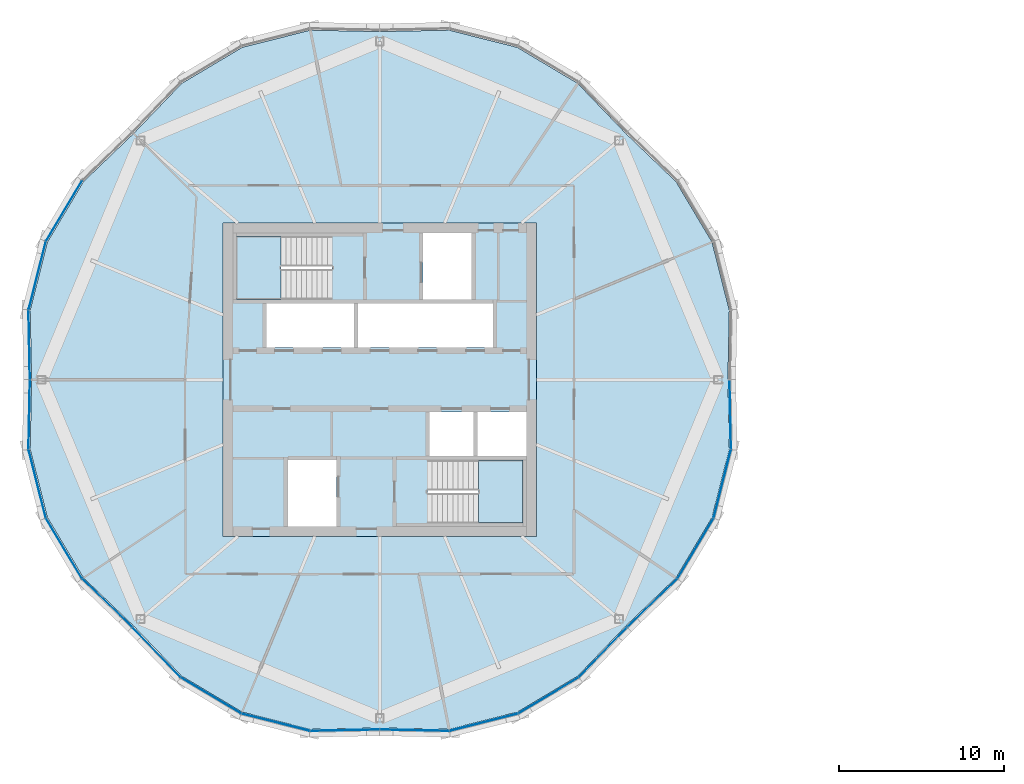
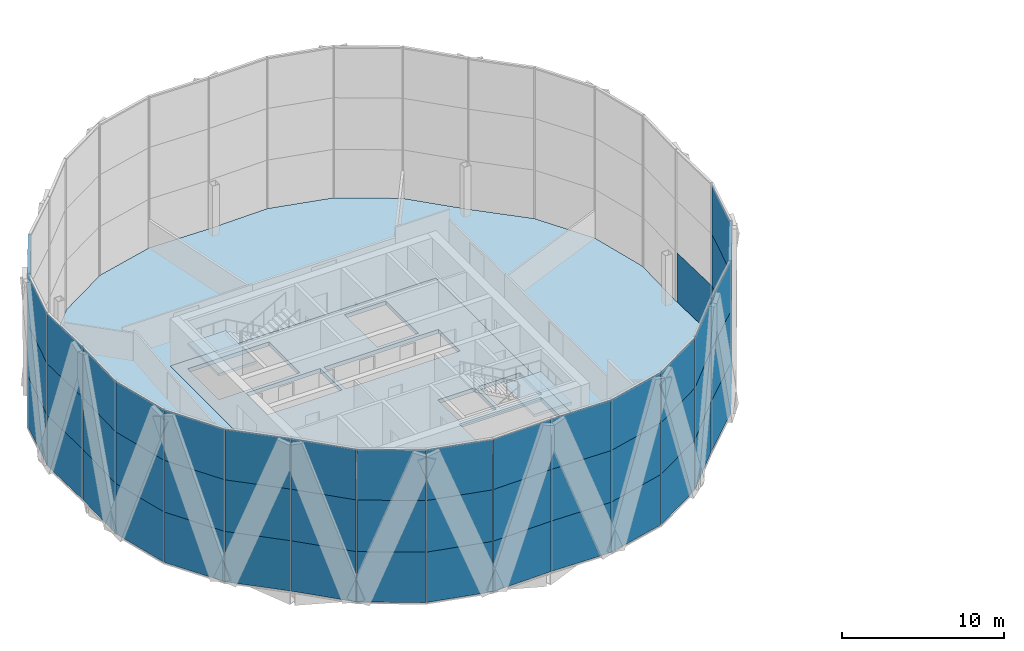
# One storey, part 15 of 25: 55 plates, 4 slabs, 7 elements without a shape of their own.
"""IFC4 building model written with IfcOpenShell, lengths in metres."""

from ifc_helpers import new_model, si_unit, direction, frame, origin, origin_2d, place, context, subcontext, project, spatial, polyline, rectangle, outline, extrude, material, layer, layer_set, type_object, element, aggregate, save


model = new_model("IFC4")

# Units and contexts
model_context = context("Model", 3, precision=1e-05, world=origin(), true_north=direction((0.0, 1.0)))
body_context = subcontext(model_context, "Body", "Model", "MODEL_VIEW")
ifc_project = project(units=[si_unit("LENGTHUNIT", "METRE"), si_unit("AREAUNIT", "SQUARE_METRE"), si_unit("VOLUMEUNIT", "CUBIC_METRE"), si_unit("PLANEANGLEUNIT", "RADIAN"), si_unit("MASSUNIT", "GRAM", prefix="KILO")], contexts=[model_context])

# Site, building, storey
site_placement = place(None, origin())
site = spatial("IfcSite", under=ifc_project, at=site_placement, CompositionType="ELEMENT")
building_placement = place(site_placement, origin())
building = spatial("IfcBuilding", under=site, at=building_placement, Name="Ogive Gate Towers", CompositionType="ELEMENT")
storey_placement = place(building_placement, frame((0.0, 0.0, 196.800048828125)))
storey = spatial("IfcBuildingStorey", under=building, at=storey_placement, Name="L47", CompositionType="ELEMENT", Elevation=196.800048828125)

# Slabs
ifc_material_1 = material(Name="Concrete C40/50", Category="concrete")
ifc_layer_1 = layer(ifc_material_1, 0.300048828125)
ifc_layer_set_1 = layer_set([ifc_layer_1], Name="Core slab C40/50 300 mm")
slab_type_1 = type_object("IfcSlabType", Name="Core slab C40/50 300 mm", PredefinedType="FLOOR", material=ifc_layer_set_1)
slab_1_placement = place(storey_placement, frame((0.0, 0.0, -0.300048828125)))
element("IfcSlab", 1, at=slab_1_placement, inside=storey, type_object=slab_type_1, Name="T1 L47 core slab", PredefinedType="FLOOR", context=body_context, shape_type="SweptSolid", body=[
    extrude(outline(polyline([(-45.5, -9.5), (-45.5, 9.5), (-26.5, 9.5), (-26.5, -9.5), (-45.5, -9.5)]), holes=[polyline([(-42.875, 1.949951171875), (-37.574951171875, 1.949951171875), (-37.574951171875, 4.625), (-42.875, 4.625), (-42.875, 1.949951171875)]), polyline([(-37.324951171875, 4.625), (-37.324951171875, 1.949951171875), (-29.125, 1.949951171875), (-29.125, 4.625), (-37.324951171875, 4.625)]), polyline([(-30.324951171875, -1.949951171875), (-32.97509765625, -1.949951171875), (-32.97509765625, -4.625), (-30.324951171875, -4.625), (-30.324951171875, -1.949951171875)]), polyline([(-27.10009765625, -4.625), (-27.10009765625, -1.949951171875), (-30.074951171875, -1.949951171875), (-30.074951171875, -4.625), (-27.10009765625, -4.625)]), polyline([(-33.375, 4.875), (-30.425048828125, 4.875), (-30.425048828125, 8.89990234375), (-33.375, 8.89990234375), (-33.375, 4.875)]), polyline([(-41.574951171875, -4.875), (-41.574951171875, -8.89990234375), (-38.625, -8.89990234375), (-38.625, -4.875), (-41.574951171875, -4.875)]), polyline([(-44.699951171875, 4.875), (-38.885009765625, 4.875), (-38.885009765625, 8.699951171875), (-44.699951171875, 8.699951171875), (-44.699951171875, 4.875)]), polyline([(-27.300048828125, -8.699951171875), (-27.300048828125, -4.875), (-33.114990234375, -4.875), (-33.114990234375, -8.699951171875), (-27.300048828125, -8.699951171875)])]), origin(), (0.0, 0.0, 1.0), 0.300048828125),
])
ifc_material_2 = material(Name="Concrete C35/45", Category="concrete")
ifc_layer_2 = layer(ifc_material_2, 0.300048828125)
ifc_layer_set_2 = layer_set([ifc_layer_2], Name="Floor slab 300")
slab_type_2 = type_object("IfcSlabType", Name="Floor slab 300", PredefinedType="FLOOR", material=ifc_layer_set_2)
slab_2_placement = place(storey_placement, frame((0.0, 0.0, -0.300048828125)))
element("IfcSlab", 2, at=slab_2_placement, inside=storey, type_object=slab_type_2, Name="T1/L47/SSL001", PredefinedType="FLOOR", context=body_context, shape_type="SweptSolid", body=[
    extrude(outline(polyline([(-14.79541015625, -4.2177734375), (-14.8798828125, 0.0), (-14.79541015625, 4.2177734375), (-15.841064453125, 8.35009765625), (-18.023681640625, 12.011474609375), (-21.06591796875, 14.93408203125), (-23.988525390625, 17.976318359375), (-27.64990234375, 20.158935546875), (-31.7822265625, 21.20458984375), (-36.0, 21.1201171875), (-40.2177734375, 21.20458984375), (-44.35009765625, 20.158935546875), (-48.011474609375, 17.976318359375), (-50.93408203125, 14.93408203125), (-53.976318359375, 12.011474609375), (-56.158935546875, 8.35009765625), (-57.20458984375, 4.2177734375), (-57.1201171875, 0.0), (-57.20458984375, -4.2177734375), (-56.158935546875, -8.35009765625), (-53.976318359375, -12.011474609375), (-50.93408203125, -14.93408203125), (-48.011474609375, -17.976318359375), (-44.35009765625, -20.158935546875), (-40.2177734375, -21.20458984375), (-36.0, -21.1201171875), (-31.7822265625, -21.20458984375), (-27.64990234375, -20.158935546875), (-23.988525390625, -17.976318359375), (-21.06591796875, -14.93408203125), (-18.023681640625, -12.011474609375), (-15.841064453125, -8.35009765625), (-14.79541015625, -4.2177734375)]), holes=[polyline([(-26.5, -9.5), (-45.5, -9.5), (-45.5, 9.5), (-26.5, 9.5), (-26.5, -9.5)])]), origin(), (0.0, 0.0, 1.0), 0.300048828125),
])

# Stair, slab
stair_type = type_object("IfcStairType", Name="Escape stair 1840 wide", PredefinedType="HALF_TURN_STAIR", material=ifc_material_1)
stair_1_placement = place(storey_placement, origin())
stair_1 = element("IfcStair", 3, at=stair_1_placement, inside=storey, type_object=stair_type, Name="L47 Escape stair 1", PredefinedType="HALF_TURN_STAIR")
ifc_layer_3 = layer(ifc_material_1, 0.199951171875)
ifc_layer_set_3 = layer_set([ifc_layer_3], Name="Stair landing 200 mm")
slab_type_3 = type_object("IfcSlabType", Name="Stair landing 200 mm", PredefinedType="LANDING", material=ifc_layer_set_3)
slab_3_placement = place(storey_placement, frame((0.0, 0.0, 1.75)))
slab_3 = element("IfcSlab", 4, at=slab_3_placement, type_object=slab_type_3, Name="ST1 landing 1", PredefinedType="LANDING", context=body_context, shape_type="SweptSolid", body=[
    extrude(outline(polyline([(-42.00146484375, 8.699951171875), (-44.699951171875, 8.699951171875), (-44.699951171875, 4.875), (-42.00146484375, 4.875), (-42.00146484375, 8.699951171875)])), origin(), (0.0, 0.0, 1.0), 0.199951171875),
])
aggregate(stair_1, [slab_3])

stair_2_placement = place(storey_placement, origin())
stair_2 = element("IfcStair", 5, at=stair_2_placement, inside=storey, type_object=stair_type, Name="L47 Escape stair 2", PredefinedType="HALF_TURN_STAIR")
slab_4_placement = place(storey_placement, frame((0.0, 0.0, 1.75)))
slab_4 = element("IfcSlab", 6, at=slab_4_placement, type_object=slab_type_3, Name="ST2 landing 1", PredefinedType="LANDING", context=body_context, shape_type="SweptSolid", body=[
    extrude(outline(polyline([(-29.99853515625, -8.699951171875), (-27.300048828125, -8.699951171875), (-27.300048828125, -4.875), (-29.99853515625, -4.875), (-29.99853515625, -8.699951171875)])), origin(), (0.0, 0.0, 1.0), 0.199951171875),
])
aggregate(stair_2, [slab_4])

# Curtain wall, plates
ifc_material_3 = material(Name="Pale metal aluminium", Category="aluminium")
curtain_wall_type = type_object("IfcCurtainWallType", Name="Tower unitised wall, high zone", PredefinedType="NOTDEFINED", material=ifc_material_3)
curtain_wall_1_placement = place(storey_placement, origin())
curtain_wall_1 = element("IfcCurtainWall", 7, at=curtain_wall_1_placement, inside=storey, type_object=curtain_wall_type, Name="CW2 T1 ECW04", PredefinedType="NOTDEFINED")
ifc_material_4 = material(Name="Clear glass", Category="glass")
ifc_layer_4 = layer(ifc_material_4, 0.028076171875)
ifc_layer_set_4 = layer_set([ifc_layer_4], Name="Tower unitised wall, high zone glass panel")
plate_type = type_object("IfcPlateType", Name="Tower unitised wall, high zone glass panel", PredefinedType="CURTAIN_PANEL", material=ifc_layer_set_4)
plate_1_placement = place(storey_placement, frame((-55.15380859375, 10.231689453125, -0.2041015625), z_axis=(0.0, 0.0, 1.0), x_axis=(-0.512057856471, -0.858950959966, 0.0)))
plate_1 = element("IfcPlate", 8, at=plate_1_placement, type_object=plate_type, Name="CW2 glass panel", PredefinedType="CURTAIN_PANEL", context=body_context, shape_type="SweptSolid", body=[
    extrude(rectangle(XDim=4.228515625, YDim=0.028076171875, at=origin_2d()), origin(), (0.0, 0.0, 1.0), 3.803955078125),
])
plate_2_placement = place(storey_placement, frame((-55.15380859375, 10.231689453125, 3.60009765625), z_axis=(0.0, 0.0, 1.0), x_axis=(-0.512057856471, -0.858950959966, 0.0)))
plate_2 = element("IfcPlate", 9, at=plate_2_placement, type_object=plate_type, Name="CW2 glass panel", PredefinedType="CURTAIN_PANEL", context=body_context, shape_type="SweptSolid", body=[
    extrude(rectangle(XDim=4.228515625, YDim=0.028076171875, at=origin_2d()), origin(), (0.0, 0.0, 1.0), 3.89990234375),
])
plate_3_placement = place(storey_placement, frame((-55.15380859375, 10.231689453125, 7.5), z_axis=(0.0, 0.0, 1.0), x_axis=(-0.512057856471, -0.858950959966, 0.0)))
plate_3 = element("IfcPlate", 10, at=plate_3_placement, type_object=plate_type, Name="CW2 glass panel", PredefinedType="CURTAIN_PANEL", context=body_context, shape_type="SweptSolid", body=[
    extrude(rectangle(XDim=4.228515625, YDim=0.028076171875, at=origin_2d()), origin(), (0.0, 0.0, 1.0), 3.803955078125),
])
plate_4_placement = place(storey_placement, frame((-56.778564453125, 6.30908203125, -0.2041015625), z_axis=(0.0, 0.0, 1.0), x_axis=(-0.245290465828, -0.969449631169, 0.0)))
plate_4 = element("IfcPlate", 11, at=plate_4_placement, type_object=plate_type, Name="CW2 glass panel", PredefinedType="CURTAIN_PANEL", context=body_context, shape_type="SweptSolid", body=[
    extrude(rectangle(XDim=4.228515625, YDim=0.028076171875, at=origin_2d()), origin(), (0.0, 0.0, 1.0), 3.803955078125),
])
plate_5_placement = place(storey_placement, frame((-56.778564453125, 6.30908203125, 3.60009765625), z_axis=(0.0, 0.0, 1.0), x_axis=(-0.245290465828, -0.969449631169, 0.0)))
plate_5 = element("IfcPlate", 12, at=plate_5_placement, type_object=plate_type, Name="CW2 glass panel", PredefinedType="CURTAIN_PANEL", context=body_context, shape_type="SweptSolid", body=[
    extrude(rectangle(XDim=4.228515625, YDim=0.028076171875, at=origin_2d()), origin(), (0.0, 0.0, 1.0), 3.89990234375),
])
plate_6_placement = place(storey_placement, frame((-56.778564453125, 6.30908203125, 7.5), z_axis=(0.0, 0.0, 1.0), x_axis=(-0.245290465828, -0.969449631169, 0.0)))
plate_6 = element("IfcPlate", 13, at=plate_6_placement, type_object=plate_type, Name="CW2 glass panel", PredefinedType="CURTAIN_PANEL", context=body_context, shape_type="SweptSolid", body=[
    extrude(rectangle(XDim=4.228515625, YDim=0.028076171875, at=origin_2d()), origin(), (0.0, 0.0, 1.0), 3.803955078125),
])
plate_7_placement = place(storey_placement, frame((-57.262451171875, 2.11279296875, -0.2041015625), z_axis=(0.0, 0.0, 1.0), x_axis=(0.020052489003, -0.999798928628, 0.0)))
plate_7 = element("IfcPlate", 14, at=plate_7_placement, type_object=plate_type, Name="CW2 glass panel", PredefinedType="CURTAIN_PANEL", context=body_context, shape_type="SweptSolid", body=[
    extrude(rectangle(XDim=4.17236328125, YDim=0.028076171875, at=origin_2d()), origin(), (0.0, 0.0, 1.0), 3.803955078125),
])
plate_8_placement = place(storey_placement, frame((-57.262451171875, 2.11279296875, 3.60009765625), z_axis=(0.0, 0.0, 1.0), x_axis=(0.020052489003, -0.999798928628, 0.0)))
plate_8 = element("IfcPlate", 15, at=plate_8_placement, type_object=plate_type, Name="CW2 glass panel", PredefinedType="CURTAIN_PANEL", context=body_context, shape_type="SweptSolid", body=[
    extrude(rectangle(XDim=4.17236328125, YDim=0.028076171875, at=origin_2d()), origin(), (0.0, 0.0, 1.0), 3.89990234375),
])
plate_9_placement = place(storey_placement, frame((-57.262451171875, 2.11279296875, 7.5), z_axis=(0.0, 0.0, 1.0), x_axis=(0.020052489003, -0.999798928628, 0.0)))
plate_9 = element("IfcPlate", 16, at=plate_9_placement, type_object=plate_type, Name="CW2 glass panel", PredefinedType="CURTAIN_PANEL", context=body_context, shape_type="SweptSolid", body=[
    extrude(rectangle(XDim=4.17236328125, YDim=0.028076171875, at=origin_2d()), origin(), (0.0, 0.0, 1.0), 3.803955078125),
])
aggregate(curtain_wall_1, [plate_1, plate_2, plate_3, plate_4, plate_5, plate_6, plate_7, plate_8, plate_9])

curtain_wall_2_placement = place(storey_placement, origin())
curtain_wall_2 = element("IfcCurtainWall", 17, at=curtain_wall_2_placement, inside=storey, type_object=curtain_wall_type, Name="CW2 T1 ECW05", PredefinedType="NOTDEFINED")
plate_10_placement = place(storey_placement, frame((-57.262451171875, -2.11279296875, -0.2041015625), z_axis=(0.0, 0.0, 1.0), x_axis=(-0.020052489003, -0.999798928628, 0.0)))
plate_10 = element("IfcPlate", 18, at=plate_10_placement, type_object=plate_type, Name="CW2 glass panel", PredefinedType="CURTAIN_PANEL", context=body_context, shape_type="SweptSolid", body=[
    extrude(rectangle(XDim=4.17236328125, YDim=0.028076171875, at=origin_2d()), origin(), (0.0, 0.0, 1.0), 3.803955078125),
])
plate_11_placement = place(storey_placement, frame((-57.262451171875, -2.11279296875, 3.60009765625), z_axis=(0.0, 0.0, 1.0), x_axis=(-0.020052489003, -0.999798928628, 0.0)))
plate_11 = element("IfcPlate", 19, at=plate_11_placement, type_object=plate_type, Name="CW2 glass panel", PredefinedType="CURTAIN_PANEL", context=body_context, shape_type="SweptSolid", body=[
    extrude(rectangle(XDim=4.17236328125, YDim=0.028076171875, at=origin_2d()), origin(), (0.0, 0.0, 1.0), 3.89990234375),
])
plate_12_placement = place(storey_placement, frame((-57.262451171875, -2.11279296875, 7.5), z_axis=(0.0, 0.0, 1.0), x_axis=(-0.020052489003, -0.999798928628, 0.0)))
plate_12 = element("IfcPlate", 20, at=plate_12_placement, type_object=plate_type, Name="CW2 glass panel", PredefinedType="CURTAIN_PANEL", context=body_context, shape_type="SweptSolid", body=[
    extrude(rectangle(XDim=4.17236328125, YDim=0.028076171875, at=origin_2d()), origin(), (0.0, 0.0, 1.0), 3.803955078125),
])
plate_13_placement = place(storey_placement, frame((-56.778564453125, -6.30908203125, -0.2041015625), z_axis=(0.0, 0.0, 1.0), x_axis=(0.245290465828, -0.969449631169, 0.0)))
plate_13 = element("IfcPlate", 21, at=plate_13_placement, type_object=plate_type, Name="CW2 glass panel", PredefinedType="CURTAIN_PANEL", context=body_context, shape_type="SweptSolid", body=[
    extrude(rectangle(XDim=4.228515625, YDim=0.028076171875, at=origin_2d()), origin(), (0.0, 0.0, 1.0), 3.803955078125),
])
plate_14_placement = place(storey_placement, frame((-56.778564453125, -6.30908203125, 3.60009765625), z_axis=(0.0, 0.0, 1.0), x_axis=(0.245290465828, -0.969449631169, 0.0)))
plate_14 = element("IfcPlate", 22, at=plate_14_placement, type_object=plate_type, Name="CW2 glass panel", PredefinedType="CURTAIN_PANEL", context=body_context, shape_type="SweptSolid", body=[
    extrude(rectangle(XDim=4.228515625, YDim=0.028076171875, at=origin_2d()), origin(), (0.0, 0.0, 1.0), 3.89990234375),
])
plate_15_placement = place(storey_placement, frame((-56.778564453125, -6.30908203125, 7.5), z_axis=(0.0, 0.0, 1.0), x_axis=(0.245290465828, -0.969449631169, 0.0)))
plate_15 = element("IfcPlate", 23, at=plate_15_placement, type_object=plate_type, Name="CW2 glass panel", PredefinedType="CURTAIN_PANEL", context=body_context, shape_type="SweptSolid", body=[
    extrude(rectangle(XDim=4.228515625, YDim=0.028076171875, at=origin_2d()), origin(), (0.0, 0.0, 1.0), 3.803955078125),
])
plate_16_placement = place(storey_placement, frame((-55.15380859375, -10.231689453125, -0.2041015625), z_axis=(0.0, 0.0, 1.0), x_axis=(0.512057856471, -0.858950959966, 0.0)))
plate_16 = element("IfcPlate", 24, at=plate_16_placement, type_object=plate_type, Name="CW2 glass panel", PredefinedType="CURTAIN_PANEL", context=body_context, shape_type="SweptSolid", body=[
    extrude(rectangle(XDim=4.228515625, YDim=0.028076171875, at=origin_2d()), origin(), (0.0, 0.0, 1.0), 3.803955078125),
])
plate_17_placement = place(storey_placement, frame((-55.15380859375, -10.231689453125, 3.60009765625), z_axis=(0.0, 0.0, 1.0), x_axis=(0.512057856471, -0.858950959966, 0.0)))
plate_17 = element("IfcPlate", 25, at=plate_17_placement, type_object=plate_type, Name="CW2 glass panel", PredefinedType="CURTAIN_PANEL", context=body_context, shape_type="SweptSolid", body=[
    extrude(rectangle(XDim=4.228515625, YDim=0.028076171875, at=origin_2d()), origin(), (0.0, 0.0, 1.0), 3.89990234375),
])
plate_18_placement = place(storey_placement, frame((-55.15380859375, -10.231689453125, 7.5), z_axis=(0.0, 0.0, 1.0), x_axis=(0.512057856471, -0.858950959966, 0.0)))
plate_18 = element("IfcPlate", 26, at=plate_18_placement, type_object=plate_type, Name="CW2 glass panel", PredefinedType="CURTAIN_PANEL", context=body_context, shape_type="SweptSolid", body=[
    extrude(rectangle(XDim=4.228515625, YDim=0.028076171875, at=origin_2d()), origin(), (0.0, 0.0, 1.0), 3.803955078125),
])
plate_19_placement = place(storey_placement, frame((-52.52880859375, -13.540771484375, -0.2041015625), z_axis=(0.0, 0.0, 1.0), x_axis=(0.72114385321, -0.692785351302, 0.0)))
plate_19 = element("IfcPlate", 27, at=plate_19_placement, type_object=plate_type, Name="CW2 glass panel", PredefinedType="CURTAIN_PANEL", context=body_context, shape_type="SweptSolid", body=[
    extrude(rectangle(XDim=4.17236328125, YDim=0.028076171875, at=origin_2d()), origin(), (0.0, 0.0, 1.0), 3.803955078125),
])
plate_20_placement = place(storey_placement, frame((-52.52880859375, -13.540771484375, 3.60009765625), z_axis=(0.0, 0.0, 1.0), x_axis=(0.72114385321, -0.692785351302, 0.0)))
plate_20 = element("IfcPlate", 28, at=plate_20_placement, type_object=plate_type, Name="CW2 glass panel", PredefinedType="CURTAIN_PANEL", context=body_context, shape_type="SweptSolid", body=[
    extrude(rectangle(XDim=4.17236328125, YDim=0.028076171875, at=origin_2d()), origin(), (0.0, 0.0, 1.0), 3.89990234375),
])
plate_21_placement = place(storey_placement, frame((-52.52880859375, -13.540771484375, 7.5), z_axis=(0.0, 0.0, 1.0), x_axis=(0.72114385321, -0.692785351302, 0.0)))
plate_21 = element("IfcPlate", 29, at=plate_21_placement, type_object=plate_type, Name="CW2 glass panel", PredefinedType="CURTAIN_PANEL", context=body_context, shape_type="SweptSolid", body=[
    extrude(rectangle(XDim=4.17236328125, YDim=0.028076171875, at=origin_2d()), origin(), (0.0, 0.0, 1.0), 3.803955078125),
])
aggregate(curtain_wall_2, [plate_10, plate_11, plate_12, plate_13, plate_14, plate_15, plate_16, plate_17, plate_18, plate_19, plate_20, plate_21])

curtain_wall_3_placement = place(storey_placement, origin())
curtain_wall_3 = element("IfcCurtainWall", 30, at=curtain_wall_3_placement, inside=storey, type_object=curtain_wall_type, Name="CW2 T1 ECW06", PredefinedType="NOTDEFINED")
plate_22_placement = place(storey_placement, frame((-49.540771484375, -16.52880859375, -0.2041015625), z_axis=(0.0, 0.0, 1.0), x_axis=(0.692785351302, -0.72114385321, 0.0)))
plate_22 = element("IfcPlate", 31, at=plate_22_placement, type_object=plate_type, Name="CW2 glass panel", PredefinedType="CURTAIN_PANEL", context=body_context, shape_type="SweptSolid", body=[
    extrude(rectangle(XDim=4.17236328125, YDim=0.028076171875, at=origin_2d()), origin(), (0.0, 0.0, 1.0), 3.803955078125),
])
plate_23_placement = place(storey_placement, frame((-49.540771484375, -16.52880859375, 3.60009765625), z_axis=(0.0, 0.0, 1.0), x_axis=(0.692785351302, -0.72114385321, 0.0)))
plate_23 = element("IfcPlate", 32, at=plate_23_placement, type_object=plate_type, Name="CW2 glass panel", PredefinedType="CURTAIN_PANEL", context=body_context, shape_type="SweptSolid", body=[
    extrude(rectangle(XDim=4.17236328125, YDim=0.028076171875, at=origin_2d()), origin(), (0.0, 0.0, 1.0), 3.89990234375),
])
plate_24_placement = place(storey_placement, frame((-49.540771484375, -16.52880859375, 7.5), z_axis=(0.0, 0.0, 1.0), x_axis=(0.692785351302, -0.72114385321, 0.0)))
plate_24 = element("IfcPlate", 33, at=plate_24_placement, type_object=plate_type, Name="CW2 glass panel", PredefinedType="CURTAIN_PANEL", context=body_context, shape_type="SweptSolid", body=[
    extrude(rectangle(XDim=4.17236328125, YDim=0.028076171875, at=origin_2d()), origin(), (0.0, 0.0, 1.0), 3.803955078125),
])
plate_25_placement = place(storey_placement, frame((-46.231689453125, -19.15380859375, -0.2041015625), z_axis=(0.0, 0.0, 1.0), x_axis=(0.858950959966, -0.512057856471, 0.0)))
plate_25 = element("IfcPlate", 34, at=plate_25_placement, type_object=plate_type, Name="CW2 glass panel", PredefinedType="CURTAIN_PANEL", context=body_context, shape_type="SweptSolid", body=[
    extrude(rectangle(XDim=4.228515625, YDim=0.028076171875, at=origin_2d()), origin(), (0.0, 0.0, 1.0), 3.803955078125),
])
plate_26_placement = place(storey_placement, frame((-46.231689453125, -19.15380859375, 3.60009765625), z_axis=(0.0, 0.0, 1.0), x_axis=(0.858950959966, -0.512057856471, 0.0)))
plate_26 = element("IfcPlate", 35, at=plate_26_placement, type_object=plate_type, Name="CW2 glass panel", PredefinedType="CURTAIN_PANEL", context=body_context, shape_type="SweptSolid", body=[
    extrude(rectangle(XDim=4.228515625, YDim=0.028076171875, at=origin_2d()), origin(), (0.0, 0.0, 1.0), 3.89990234375),
])
plate_27_placement = place(storey_placement, frame((-46.231689453125, -19.15380859375, 7.5), z_axis=(0.0, 0.0, 1.0), x_axis=(0.858950959966, -0.512057856471, 0.0)))
plate_27 = element("IfcPlate", 36, at=plate_27_placement, type_object=plate_type, Name="CW2 glass panel", PredefinedType="CURTAIN_PANEL", context=body_context, shape_type="SweptSolid", body=[
    extrude(rectangle(XDim=4.228515625, YDim=0.028076171875, at=origin_2d()), origin(), (0.0, 0.0, 1.0), 3.803955078125),
])
plate_28_placement = place(storey_placement, frame((-42.30908203125, -20.778564453125, -0.2041015625), z_axis=(0.0, 0.0, 1.0), x_axis=(0.969449631169, -0.245290465828, 0.0)))
plate_28 = element("IfcPlate", 37, at=plate_28_placement, type_object=plate_type, Name="CW2 glass panel", PredefinedType="CURTAIN_PANEL", context=body_context, shape_type="SweptSolid", body=[
    extrude(rectangle(XDim=4.228515625, YDim=0.028076171875, at=origin_2d()), origin(), (0.0, 0.0, 1.0), 3.803955078125),
])
plate_29_placement = place(storey_placement, frame((-42.30908203125, -20.778564453125, 3.60009765625), z_axis=(0.0, 0.0, 1.0), x_axis=(0.969449631169, -0.245290465828, 0.0)))
plate_29 = element("IfcPlate", 38, at=plate_29_placement, type_object=plate_type, Name="CW2 glass panel", PredefinedType="CURTAIN_PANEL", context=body_context, shape_type="SweptSolid", body=[
    extrude(rectangle(XDim=4.228515625, YDim=0.028076171875, at=origin_2d()), origin(), (0.0, 0.0, 1.0), 3.89990234375),
])
plate_30_placement = place(storey_placement, frame((-42.30908203125, -20.778564453125, 7.5), z_axis=(0.0, 0.0, 1.0), x_axis=(0.969449631169, -0.245290465828, 0.0)))
plate_30 = element("IfcPlate", 39, at=plate_30_placement, type_object=plate_type, Name="CW2 glass panel", PredefinedType="CURTAIN_PANEL", context=body_context, shape_type="SweptSolid", body=[
    extrude(rectangle(XDim=4.228515625, YDim=0.028076171875, at=origin_2d()), origin(), (0.0, 0.0, 1.0), 3.803955078125),
])
plate_31_placement = place(storey_placement, frame((-38.11279296875, -21.262451171875, -0.2041015625), z_axis=(0.0, 0.0, 1.0), x_axis=(0.999798928628, 0.020052489003, 0.0)))
plate_31 = element("IfcPlate", 40, at=plate_31_placement, type_object=plate_type, Name="CW2 glass panel", PredefinedType="CURTAIN_PANEL", context=body_context, shape_type="SweptSolid", body=[
    extrude(rectangle(XDim=4.17236328125, YDim=0.028076171875, at=origin_2d()), origin(), (0.0, 0.0, 1.0), 3.803955078125),
])
plate_32_placement = place(storey_placement, frame((-38.11279296875, -21.262451171875, 3.60009765625), z_axis=(0.0, 0.0, 1.0), x_axis=(0.999798928628, 0.020052489003, 0.0)))
plate_32 = element("IfcPlate", 41, at=plate_32_placement, type_object=plate_type, Name="CW2 glass panel", PredefinedType="CURTAIN_PANEL", context=body_context, shape_type="SweptSolid", body=[
    extrude(rectangle(XDim=4.17236328125, YDim=0.028076171875, at=origin_2d()), origin(), (0.0, 0.0, 1.0), 3.89990234375),
])
plate_33_placement = place(storey_placement, frame((-38.11279296875, -21.262451171875, 7.5), z_axis=(0.0, 0.0, 1.0), x_axis=(0.999798928628, 0.020052489003, 0.0)))
plate_33 = element("IfcPlate", 42, at=plate_33_placement, type_object=plate_type, Name="CW2 glass panel", PredefinedType="CURTAIN_PANEL", context=body_context, shape_type="SweptSolid", body=[
    extrude(rectangle(XDim=4.17236328125, YDim=0.028076171875, at=origin_2d()), origin(), (0.0, 0.0, 1.0), 3.803955078125),
])
aggregate(curtain_wall_3, [plate_22, plate_23, plate_24, plate_25, plate_26, plate_27, plate_28, plate_29, plate_30, plate_31, plate_32, plate_33])

curtain_wall_4_placement = place(storey_placement, origin())
curtain_wall_4 = element("IfcCurtainWall", 43, at=curtain_wall_4_placement, inside=storey, type_object=curtain_wall_type, Name="CW2 T1 ECW07", PredefinedType="NOTDEFINED")
plate_34_placement = place(storey_placement, frame((-33.88720703125, -21.262451171875, -0.2041015625), z_axis=(0.0, 0.0, 1.0), x_axis=(0.999798928628, -0.020052489003, 0.0)))
plate_34 = element("IfcPlate", 44, at=plate_34_placement, type_object=plate_type, Name="CW2 glass panel", PredefinedType="CURTAIN_PANEL", context=body_context, shape_type="SweptSolid", body=[
    extrude(rectangle(XDim=4.17236328125, YDim=0.028076171875, at=origin_2d()), origin(), (0.0, 0.0, 1.0), 3.803955078125),
])
plate_35_placement = place(storey_placement, frame((-33.88720703125, -21.262451171875, 3.60009765625), z_axis=(0.0, 0.0, 1.0), x_axis=(0.999798928628, -0.020052489003, 0.0)))
plate_35 = element("IfcPlate", 45, at=plate_35_placement, type_object=plate_type, Name="CW2 glass panel", PredefinedType="CURTAIN_PANEL", context=body_context, shape_type="SweptSolid", body=[
    extrude(rectangle(XDim=4.17236328125, YDim=0.028076171875, at=origin_2d()), origin(), (0.0, 0.0, 1.0), 3.89990234375),
])
plate_36_placement = place(storey_placement, frame((-33.88720703125, -21.262451171875, 7.5), z_axis=(0.0, 0.0, 1.0), x_axis=(0.999798928628, -0.020052489003, 0.0)))
plate_36 = element("IfcPlate", 46, at=plate_36_placement, type_object=plate_type, Name="CW2 glass panel", PredefinedType="CURTAIN_PANEL", context=body_context, shape_type="SweptSolid", body=[
    extrude(rectangle(XDim=4.17236328125, YDim=0.028076171875, at=origin_2d()), origin(), (0.0, 0.0, 1.0), 3.803955078125),
])
plate_37_placement = place(storey_placement, frame((-29.69091796875, -20.778564453125, -0.2041015625), z_axis=(0.0, 0.0, 1.0), x_axis=(0.969449631169, 0.245290465828, 0.0)))
plate_37 = element("IfcPlate", 47, at=plate_37_placement, type_object=plate_type, Name="CW2 glass panel", PredefinedType="CURTAIN_PANEL", context=body_context, shape_type="SweptSolid", body=[
    extrude(rectangle(XDim=4.228515625, YDim=0.028076171875, at=origin_2d()), origin(), (0.0, 0.0, 1.0), 3.803955078125),
])
plate_38_placement = place(storey_placement, frame((-29.69091796875, -20.778564453125, 3.60009765625), z_axis=(0.0, 0.0, 1.0), x_axis=(0.969449631169, 0.245290465828, 0.0)))
plate_38 = element("IfcPlate", 48, at=plate_38_placement, type_object=plate_type, Name="CW2 glass panel", PredefinedType="CURTAIN_PANEL", context=body_context, shape_type="SweptSolid", body=[
    extrude(rectangle(XDim=4.228515625, YDim=0.028076171875, at=origin_2d()), origin(), (0.0, 0.0, 1.0), 3.89990234375),
])
plate_39_placement = place(storey_placement, frame((-29.69091796875, -20.778564453125, 7.5), z_axis=(0.0, 0.0, 1.0), x_axis=(0.969449631169, 0.245290465828, 0.0)))
plate_39 = element("IfcPlate", 49, at=plate_39_placement, type_object=plate_type, Name="CW2 glass panel", PredefinedType="CURTAIN_PANEL", context=body_context, shape_type="SweptSolid", body=[
    extrude(rectangle(XDim=4.228515625, YDim=0.028076171875, at=origin_2d()), origin(), (0.0, 0.0, 1.0), 3.803955078125),
])
plate_40_placement = place(storey_placement, frame((-25.768310546875, -19.15380859375, -0.2041015625), z_axis=(0.0, 0.0, 1.0), x_axis=(0.858950959966, 0.512057856471, 0.0)))
plate_40 = element("IfcPlate", 50, at=plate_40_placement, type_object=plate_type, Name="CW2 glass panel", PredefinedType="CURTAIN_PANEL", context=body_context, shape_type="SweptSolid", body=[
    extrude(rectangle(XDim=4.228515625, YDim=0.028076171875, at=origin_2d()), origin(), (0.0, 0.0, 1.0), 3.803955078125),
])
plate_41_placement = place(storey_placement, frame((-25.768310546875, -19.15380859375, 3.60009765625), z_axis=(0.0, 0.0, 1.0), x_axis=(0.858950959966, 0.512057856471, 0.0)))
plate_41 = element("IfcPlate", 51, at=plate_41_placement, type_object=plate_type, Name="CW2 glass panel", PredefinedType="CURTAIN_PANEL", context=body_context, shape_type="SweptSolid", body=[
    extrude(rectangle(XDim=4.228515625, YDim=0.028076171875, at=origin_2d()), origin(), (0.0, 0.0, 1.0), 3.89990234375),
])
plate_42_placement = place(storey_placement, frame((-25.768310546875, -19.15380859375, 7.5), z_axis=(0.0, 0.0, 1.0), x_axis=(0.858950959966, 0.512057856471, 0.0)))
plate_42 = element("IfcPlate", 52, at=plate_42_placement, type_object=plate_type, Name="CW2 glass panel", PredefinedType="CURTAIN_PANEL", context=body_context, shape_type="SweptSolid", body=[
    extrude(rectangle(XDim=4.228515625, YDim=0.028076171875, at=origin_2d()), origin(), (0.0, 0.0, 1.0), 3.803955078125),
])
plate_43_placement = place(storey_placement, frame((-22.459228515625, -16.52880859375, -0.2041015625), z_axis=(0.0, 0.0, 1.0), x_axis=(0.692785351302, 0.72114385321, 0.0)))
plate_43 = element("IfcPlate", 53, at=plate_43_placement, type_object=plate_type, Name="CW2 glass panel", PredefinedType="CURTAIN_PANEL", context=body_context, shape_type="SweptSolid", body=[
    extrude(rectangle(XDim=4.17236328125, YDim=0.028076171875, at=origin_2d()), origin(), (0.0, 0.0, 1.0), 3.803955078125),
])
plate_44_placement = place(storey_placement, frame((-22.459228515625, -16.52880859375, 3.60009765625), z_axis=(0.0, 0.0, 1.0), x_axis=(0.692785351302, 0.72114385321, 0.0)))
plate_44 = element("IfcPlate", 54, at=plate_44_placement, type_object=plate_type, Name="CW2 glass panel", PredefinedType="CURTAIN_PANEL", context=body_context, shape_type="SweptSolid", body=[
    extrude(rectangle(XDim=4.17236328125, YDim=0.028076171875, at=origin_2d()), origin(), (0.0, 0.0, 1.0), 3.89990234375),
])
plate_45_placement = place(storey_placement, frame((-22.459228515625, -16.52880859375, 7.5), z_axis=(0.0, 0.0, 1.0), x_axis=(0.692785351302, 0.72114385321, 0.0)))
plate_45 = element("IfcPlate", 55, at=plate_45_placement, type_object=plate_type, Name="CW2 glass panel", PredefinedType="CURTAIN_PANEL", context=body_context, shape_type="SweptSolid", body=[
    extrude(rectangle(XDim=4.17236328125, YDim=0.028076171875, at=origin_2d()), origin(), (0.0, 0.0, 1.0), 3.803955078125),
])
aggregate(curtain_wall_4, [plate_34, plate_35, plate_36, plate_37, plate_38, plate_39, plate_40, plate_41, plate_42, plate_43, plate_44, plate_45])

curtain_wall_5_placement = place(storey_placement, origin())
curtain_wall_5 = element("IfcCurtainWall", 56, at=curtain_wall_5_placement, inside=storey, type_object=curtain_wall_type, Name="CW2 T1 ECW08", PredefinedType="NOTDEFINED")
plate_46_placement = place(storey_placement, frame((-19.47119140625, -13.540771484375, -0.2041015625), z_axis=(0.0, 0.0, 1.0), x_axis=(0.72114385321, 0.692785351302, 0.0)))
plate_46 = element("IfcPlate", 57, at=plate_46_placement, type_object=plate_type, Name="CW2 glass panel", PredefinedType="CURTAIN_PANEL", context=body_context, shape_type="SweptSolid", body=[
    extrude(rectangle(XDim=4.17236328125, YDim=0.028076171875, at=origin_2d()), origin(), (0.0, 0.0, 1.0), 3.803955078125),
])
plate_47_placement = place(storey_placement, frame((-19.47119140625, -13.540771484375, 3.60009765625), z_axis=(0.0, 0.0, 1.0), x_axis=(0.72114385321, 0.692785351302, 0.0)))
plate_47 = element("IfcPlate", 58, at=plate_47_placement, type_object=plate_type, Name="CW2 glass panel", PredefinedType="CURTAIN_PANEL", context=body_context, shape_type="SweptSolid", body=[
    extrude(rectangle(XDim=4.17236328125, YDim=0.028076171875, at=origin_2d()), origin(), (0.0, 0.0, 1.0), 3.89990234375),
])
plate_48_placement = place(storey_placement, frame((-19.47119140625, -13.540771484375, 7.5), z_axis=(0.0, 0.0, 1.0), x_axis=(0.72114385321, 0.692785351302, 0.0)))
plate_48 = element("IfcPlate", 59, at=plate_48_placement, type_object=plate_type, Name="CW2 glass panel", PredefinedType="CURTAIN_PANEL", context=body_context, shape_type="SweptSolid", body=[
    extrude(rectangle(XDim=4.17236328125, YDim=0.028076171875, at=origin_2d()), origin(), (0.0, 0.0, 1.0), 3.803955078125),
])
plate_49_placement = place(storey_placement, frame((-16.84619140625, -10.231689453125, -0.2041015625), z_axis=(0.0, 0.0, 1.0), x_axis=(0.512057856471, 0.858950959966, 0.0)))
plate_49 = element("IfcPlate", 60, at=plate_49_placement, type_object=plate_type, Name="CW2 glass panel", PredefinedType="CURTAIN_PANEL", context=body_context, shape_type="SweptSolid", body=[
    extrude(rectangle(XDim=4.228515625, YDim=0.028076171875, at=origin_2d()), origin(), (0.0, 0.0, 1.0), 3.803955078125),
])
plate_50_placement = place(storey_placement, frame((-16.84619140625, -10.231689453125, 3.60009765625), z_axis=(0.0, 0.0, 1.0), x_axis=(0.512057856471, 0.858950959966, 0.0)))
plate_50 = element("IfcPlate", 61, at=plate_50_placement, type_object=plate_type, Name="CW2 glass panel", PredefinedType="CURTAIN_PANEL", context=body_context, shape_type="SweptSolid", body=[
    extrude(rectangle(XDim=4.228515625, YDim=0.028076171875, at=origin_2d()), origin(), (0.0, 0.0, 1.0), 3.89990234375),
])
plate_51_placement = place(storey_placement, frame((-16.84619140625, -10.231689453125, 7.5), z_axis=(0.0, 0.0, 1.0), x_axis=(0.512057856471, 0.858950959966, 0.0)))
plate_51 = element("IfcPlate", 62, at=plate_51_placement, type_object=plate_type, Name="CW2 glass panel", PredefinedType="CURTAIN_PANEL", context=body_context, shape_type="SweptSolid", body=[
    extrude(rectangle(XDim=4.228515625, YDim=0.028076171875, at=origin_2d()), origin(), (0.0, 0.0, 1.0), 3.803955078125),
])
plate_52_placement = place(storey_placement, frame((-15.221435546875, -6.30908203125, -0.2041015625), z_axis=(0.0, 0.0, 1.0), x_axis=(0.245290465828, 0.969449631169, 0.0)))
plate_52 = element("IfcPlate", 63, at=plate_52_placement, type_object=plate_type, Name="CW2 glass panel", PredefinedType="CURTAIN_PANEL", context=body_context, shape_type="SweptSolid", body=[
    extrude(rectangle(XDim=4.228515625, YDim=0.028076171875, at=origin_2d()), origin(), (0.0, 0.0, 1.0), 3.803955078125),
])
plate_53_placement = place(storey_placement, frame((-15.221435546875, -6.30908203125, 3.60009765625), z_axis=(0.0, 0.0, 1.0), x_axis=(0.245290465828, 0.969449631169, 0.0)))
plate_53 = element("IfcPlate", 64, at=plate_53_placement, type_object=plate_type, Name="CW2 glass panel", PredefinedType="CURTAIN_PANEL", context=body_context, shape_type="SweptSolid", body=[
    extrude(rectangle(XDim=4.228515625, YDim=0.028076171875, at=origin_2d()), origin(), (0.0, 0.0, 1.0), 3.89990234375),
])
plate_54_placement = place(storey_placement, frame((-15.221435546875, -6.30908203125, 7.5), z_axis=(0.0, 0.0, 1.0), x_axis=(0.245290465828, 0.969449631169, 0.0)))
plate_54 = element("IfcPlate", 65, at=plate_54_placement, type_object=plate_type, Name="CW2 glass panel", PredefinedType="CURTAIN_PANEL", context=body_context, shape_type="SweptSolid", body=[
    extrude(rectangle(XDim=4.228515625, YDim=0.028076171875, at=origin_2d()), origin(), (0.0, 0.0, 1.0), 3.803955078125),
])
plate_55_placement = place(storey_placement, frame((-14.737548828125, -2.11279296875, -0.2041015625), z_axis=(0.0, 0.0, 1.0), x_axis=(-0.020052489003, 0.999798928628, 0.0)))
plate_55 = element("IfcPlate", 66, at=plate_55_placement, type_object=plate_type, Name="CW2 glass panel", PredefinedType="CURTAIN_PANEL", context=body_context, shape_type="SweptSolid", body=[
    extrude(rectangle(XDim=4.17236328125, YDim=0.028076171875, at=origin_2d()), origin(), (0.0, 0.0, 1.0), 3.803955078125),
])
aggregate(curtain_wall_5, [plate_46, plate_47, plate_48, plate_49, plate_50, plate_51, plate_52, plate_53, plate_54, plate_55])

save(model, "model.ifc")
